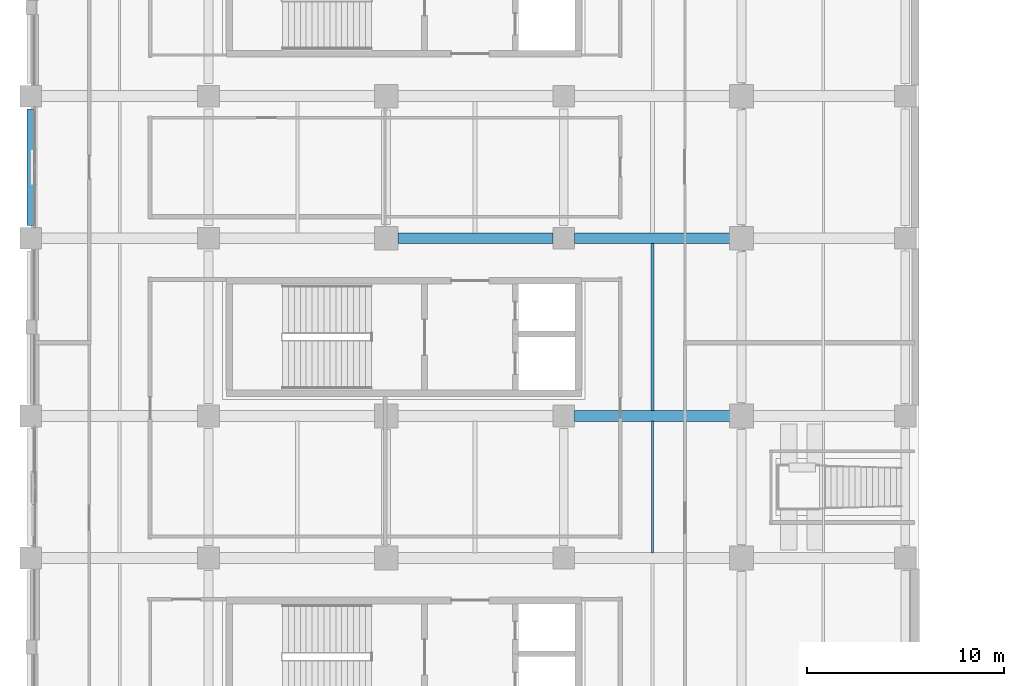
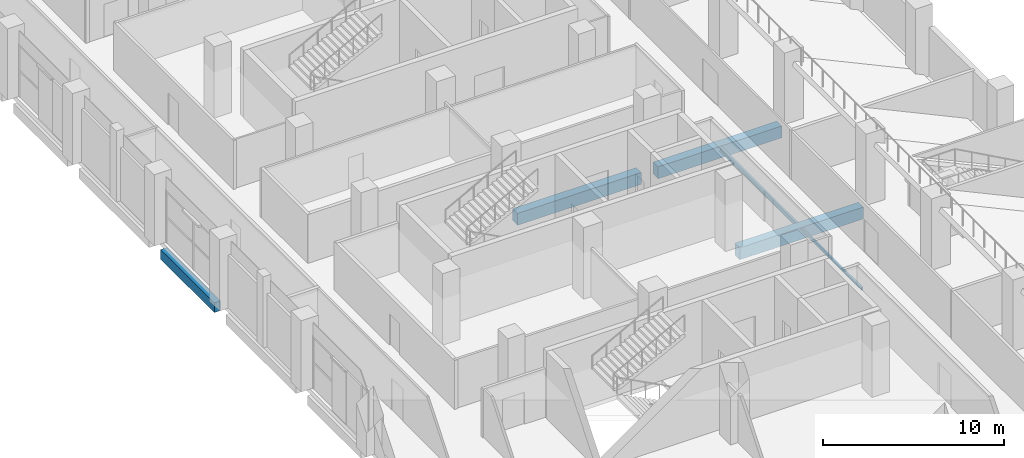
# One storey, part 13 of 100: 6 beams.
"""IFC4 building model written with IfcOpenShell, lengths in metres."""

from ifc_helpers import new_model, si_unit, direction, frame, origin, origin_2d, place, context, subcontext, project, spatial, rectangle, hollow_rectangle, i_section, extrude, material, material_profile, profile_set, type_object, element, save


model = new_model("IFC4")

# Units and contexts
model_context = context("Model", 3, precision=1e-05, world=origin(), true_north=direction((0.0, 1.0)))
body_context = subcontext(model_context, "Body", "Model", "MODEL_VIEW")
ifc_project = project(units=[si_unit("LENGTHUNIT", "METRE"), si_unit("AREAUNIT", "SQUARE_METRE"), si_unit("VOLUMEUNIT", "CUBIC_METRE"), si_unit("PLANEANGLEUNIT", "RADIAN"), si_unit("MASSUNIT", "GRAM", prefix="KILO"), si_unit("THERMODYNAMICTEMPERATUREUNIT", "KELVIN"), si_unit("POWERUNIT", "WATT")], contexts=[model_context])

# Site, building, storey
site_placement = place(None, origin())
site = spatial("IfcSite", under=ifc_project, at=site_placement, CompositionType="ELEMENT")
building_placement = place(site_placement, origin())
building = spatial("IfcBuilding", under=site, at=building_placement, Name="Sindhuravela Promenade Stadium", CompositionType="ELEMENT")
storey_placement = place(building_placement, frame((0.0, 0.0, 4.800048828125)))
storey = spatial("IfcBuildingStorey", under=building, at=storey_placement, Name="L01", CompositionType="ELEMENT", Elevation=4.800048828125)

# Beams
ifc_material_1 = material(Name="Concrete M40", Category="concrete")
ifc_material_profile_1 = material_profile(ifc_material_1, rectangle(XDim=0.39990234375, YDim=0.64990234375, at=origin_2d()), Name="RC 400x650")
ifc_profile_set_1 = profile_set([ifc_material_profile_1], Name="Concrete M40")
beam_type_1 = type_object("IfcBeamType", Name="RC-BM-400x650", PredefinedType="SPANDREL", material=ifc_profile_set_1)
beam_1_placement = place(storey_placement, frame((0.0, 78.0400390625, -0.625), z_axis=(0.0, 1.0, 0.0), x_axis=(-1.0, 0.0, 0.0)))
element("IfcBeam", 1, at=beam_1_placement, inside=storey, type_object=beam_type_1, Name="Primary beam SP01 WEST L01", PredefinedType="SPANDREL", context=body_context, shape_type="SweptSolid", body=[
    extrude(rectangle(XDim=0.39990234375, YDim=0.64990234375, at=origin_2d()), origin(), (0.0, 0.0, 1.0), 5.919921875),
])
ifc_material_profile_2 = material_profile(ifc_material_1, rectangle(XDim=0.550048828125, YDim=0.800048828125, at=origin_2d()), Name="RC 550x800")
ifc_profile_set_2 = profile_set([ifc_material_profile_2], Name="Concrete M40")
beam_type_2 = type_object("IfcBeamType", Name="RC-BM-550x800", PredefinedType="BEAM", material=ifc_profile_set_2)
for number, where, z_axis, x_axis, name in (
    (2, (27.5400390625, 68.39990234375, -0.699951171875), (1.0, 0.0, 0.0), (0.0, 1.0, 0.0), "Primary girder GB05 WEST L01"),
    (3, (18.590087890625, 77.39990234375, -0.699951171875), (1.0, 0.0, 0.0), (0.0, 1.0, 0.0), "Primary girder GB05 WEST L01"),
    (4, (27.5400390625, 77.39990234375, -0.699951171875), (1.0, 0.0, 0.0), (0.0, 1.0, 0.0), "Primary girder GB05 WEST L01"),
):
    element("IfcBeam", number, at=place(storey_placement, frame(where, z_axis=z_axis, x_axis=x_axis)), inside=storey, type_object=beam_type_2, Name=name, PredefinedType="BEAM", context=body_context, shape_type="SweptSolid", body=[
        extrude(rectangle(XDim=0.550048828125, YDim=0.800048828125, at=origin_2d()), origin(), (0.0, 0.0, 1.0), 7.869873046875),
    ])
ifc_material_2 = material(Name="Steel E350 (IS 2062 E350BR)", Category="steel")
ifc_material_profile_3 = material_profile(ifc_material_2, hollow_rectangle(XDim=0.10009765625, YDim=0.199951171875, WallThickness=0.008056640625, at=origin_2d()), Name="RHS 200x100x8")
ifc_profile_set_3 = profile_set([ifc_material_profile_3], Name="Steel E350 (IS 2062 E350BR)")
beam_type_3 = type_object("IfcBeamType", Name="ST-BM-LNT200", PredefinedType="LINTEL", material=ifc_profile_set_3)
beam_2_placement = place(storey_placement, frame((31.5, 61.465087890625, -0.400146484375), z_axis=(0.0, 1.0, 0.0), x_axis=(-1.0, 0.0, 0.0)))
element("IfcBeam", 5, at=beam_2_placement, inside=storey, type_object=beam_type_3, Name="Secondary floor joist LN01 WEST L01", PredefinedType="LINTEL", context=body_context, shape_type="SweptSolid", body=[
    extrude(hollow_rectangle(XDim=0.10009765625, YDim=0.199951171875, WallThickness=0.008056640625, at=origin_2d()), origin(), (0.0, 0.0, 1.0), 6.669921875),
])
ifc_material_profile_4 = material_profile(ifc_material_2, i_section(OverallWidth=0.139892578125, OverallDepth=0.300048828125, WebThickness=0.0078125, FlangeThickness=0.01318359375, FilletRadius=0.013916015625, at=origin_2d()), Name="ISMB 300")
ifc_profile_set_4 = profile_set([ifc_material_profile_4], Name="Steel E350 (IS 2062 E350BR)")
beam_type_4 = type_object("IfcBeamType", Name="ST-BM-MB300", PredefinedType="JOIST", material=ifc_profile_set_4)
beam_3_placement = place(storey_placement, frame((31.5, 68.6650390625, -0.449951171875), z_axis=(0.0, 1.0, 0.0), x_axis=(-1.0, 0.0, 0.0)))
element("IfcBeam", 6, at=beam_3_placement, inside=storey, type_object=beam_type_4, Name="Secondary floor joist SB03 WEST L01", PredefinedType="JOIST", context=body_context, shape_type="SweptSolid", body=[
    extrude(i_section(OverallWidth=0.139892578125, OverallDepth=0.300048828125, WebThickness=0.0078125, FlangeThickness=0.01318359375, FilletRadius=0.013916015625, at=origin_2d()), origin(), (0.0, 0.0, 1.0), 8.469970703125),
])

save(model, "model.ifc")
